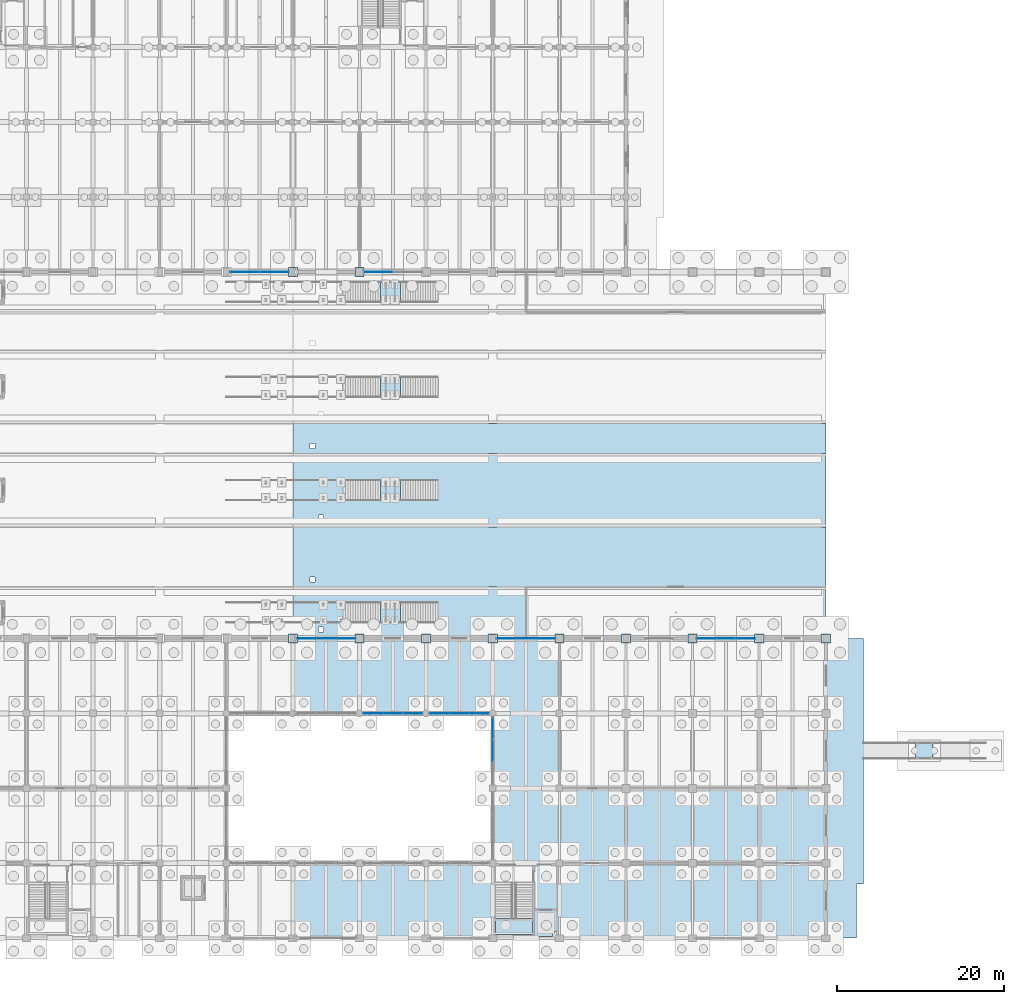
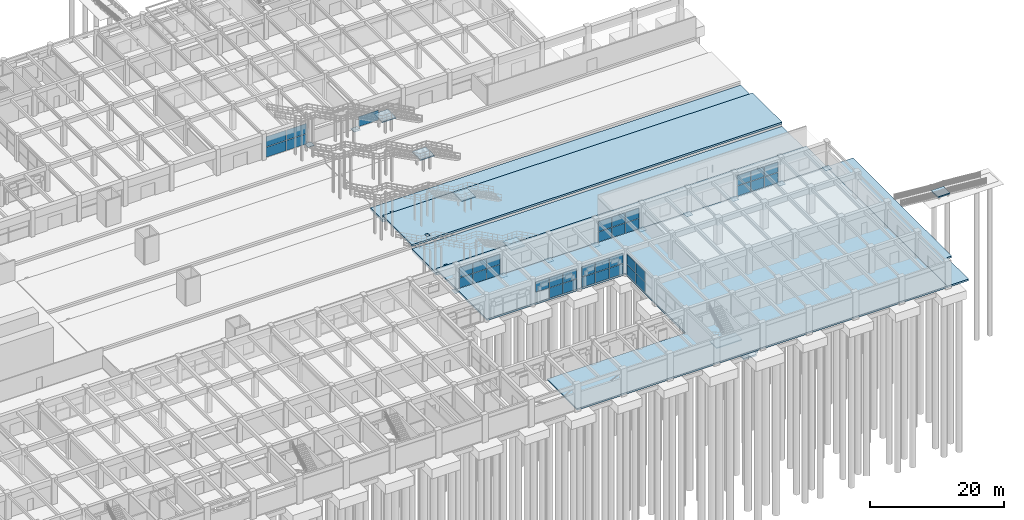
# One storey, part 95 of 147: 49 plates, 13 slabs, 14 elements without a shape of their own.
"""IFC4 building model written with IfcOpenShell, lengths in metres."""

import ifcopenshell
import ifcopenshell.guid

model = None  # the IFC model being written
_history = None  # IfcOwnerHistory: only IFC2X3 demands one
_inside = {}  # id of a spatial element -> (the spatial element, [elements in it])
_under = {}  # id of a project, library or spatial element -> (it, [spatial elements below it])
_declared = {}  # id of a project -> (the project, [libraries it declares])
_typed = {}  # id of a type object -> (the type object, [elements of that type])
_made_of = {}  # id of a material, layer set ... -> (it, [elements and type objects made of it])


def new_model(schema):
    """Start an empty IFC model of exactly this schema.

    Asked for "IFC4X3", IfcOpenShell would pick the latest addendum, in which some entities
    have other attributes; the version numbers below select the first issue.
    IFC2X3 requires an IfcOwnerHistory on every rooted entity: one is made here for all.
    """
    global model, _history
    if schema == "IFC4X3":
        model = ifcopenshell.file(schema_version=(4, 3, 0, 0))
    else:
        model = ifcopenshell.file(schema=schema)
    _inside.clear()
    _under.clear()
    _declared.clear()
    _typed.clear()
    _made_of.clear()
    _history = None
    if model.schema == "IFC2X3":
        org = make("IfcOrganization", Name="unknown")
        user = make(
            "IfcPersonAndOrganization",
            ThePerson=make("IfcPerson", FamilyName="unknown"),
            TheOrganization=org,
        )
        app = make(
            "IfcApplication",
            ApplicationDeveloper=org,
            Version="unknown",
            ApplicationFullName="unknown",
            ApplicationIdentifier="unknown",
        )
        _history = make(
            "IfcOwnerHistory",
            OwningUser=user,
            OwningApplication=app,
            ChangeAction="ADDED",
            CreationDate=0,
        )
    return model


def make(cls, **values):
    """One entity of the class cls with the attributes given. An attribute that is None is left unset."""
    return model.create_entity(
        cls, **{name: value for name, value in values.items() if value is not None}
    )


def rooted(cls, **values):
    """An entity with a GlobalId (a new one), such as an element, a storey or a relation."""
    return make(cls, GlobalId=ifcopenshell.guid.new(), OwnerHistory=_history, **values)


def si_unit(unit_type, name, prefix=None):
    """IfcSIUnit, for example si_unit("LENGTHUNIT", "METRE", prefix="MILLI")."""
    return make("IfcSIUnit", UnitType=unit_type, Prefix=prefix, Name=name)


def assignment(units):
    """IfcUnitAssignment: the units of a project."""
    return None if units is None else make("IfcUnitAssignment", Units=units)


def point(xyz):
    """IfcCartesianPoint."""
    return None if xyz is None else make("IfcCartesianPoint", Coordinates=xyz)


def direction(xyz):
    """IfcDirection."""
    return None if xyz is None else make("IfcDirection", DirectionRatios=xyz)


def frame(location, z_axis=None, x_axis=None):
    """IfcAxis2Placement3D, a coordinate frame: its origin and axes. An axis left out is left unset."""
    return make(
        "IfcAxis2Placement3D",
        Location=point(location),
        Axis=direction(z_axis),
        RefDirection=direction(x_axis),
    )


def frame_2d(location, x_axis=None):
    """IfcAxis2Placement2D, a coordinate frame in the plane: its origin and x axis."""
    return make(
        "IfcAxis2Placement2D", Location=point(location), RefDirection=direction(x_axis)
    )


def origin():
    """The frame at (0, 0, 0) with its axes left unset."""
    return frame((0.0, 0.0, 0.0))


def origin_2d():
    """The frame at (0, 0) in the plane with its x axis left unset."""
    return frame_2d((0.0, 0.0))


def place(relative_to, where):
    """IfcLocalPlacement: puts the frame where relative to a parent placement (None: the world)."""
    return make(
        "IfcLocalPlacement", PlacementRelTo=relative_to, RelativePlacement=where
    )


def context(
    kind, dimensions, precision=None, world=None, true_north=None, identifier=None
):
    """IfcGeometricRepresentationContext, for example the 3D "Model" context."""
    return make(
        "IfcGeometricRepresentationContext",
        ContextIdentifier=identifier,
        ContextType=kind,
        CoordinateSpaceDimension=dimensions,
        Precision=precision,
        WorldCoordinateSystem=world,
        TrueNorth=true_north,
    )


def subcontext(parent, identifier, kind, view, scale=None):
    """IfcGeometricRepresentationSubContext, for example "Body" below "Model"."""
    return make(
        "IfcGeometricRepresentationSubContext",
        ContextIdentifier=identifier,
        ContextType=kind,
        ParentContext=parent,
        TargetScale=scale,
        TargetView=view,
    )


def project(units=None, contexts=None):
    """IfcProject with its units and contexts."""
    return rooted(
        "IfcProject",
        Name="project",
        RepresentationContexts=contexts,
        UnitsInContext=assignment(units),
    )


def spatial(cls, under=None, at=None, **own):
    """A site, building, storey or space (cls), placed at a placement, below another one or the project."""
    s = rooted(cls, ObjectPlacement=at, **own)
    if under is not None:
        _under.setdefault(under.id(), (under, []))[1].append(s)
    return s


def polyline(points):
    """IfcPolyline through the points."""
    return make("IfcPolyline", Points=[point(p) for p in points])


def profile(cls, at=None, kind="AREA", **sizes):
    """A parametric profile (cls). Its sizes go by their IFC names, for example OverallWidth=200.0."""
    return make(cls, ProfileType=kind, Position=at, **sizes)


def rectangle(**sizes):
    """IfcRectangleProfileDef."""
    return profile("IfcRectangleProfileDef", **sizes)


def outline(outer, holes=None, kind="AREA"):
    """IfcArbitraryClosedProfileDef: a profile drawn as a closed curve; with holes, ...WithVoids."""
    if holes is None:
        return make("IfcArbitraryClosedProfileDef", ProfileType=kind, OuterCurve=outer)
    return make(
        "IfcArbitraryProfileDefWithVoids",
        ProfileType=kind,
        OuterCurve=outer,
        InnerCurves=holes,
    )


def extrude(swept, where, along, depth):
    """IfcExtrudedAreaSolid: the profile swept, set in the frame where, extruded along a direction by depth."""
    return make(
        "IfcExtrudedAreaSolid",
        SweptArea=swept,
        Position=where,
        ExtrudedDirection=direction(along),
        Depth=depth,
    )


def shape(context_of_items, identifier, shape_type, items):
    """IfcShapeRepresentation: the items that make up one representation, for example the "Body"."""
    return make(
        "IfcShapeRepresentation",
        ContextOfItems=context_of_items,
        RepresentationIdentifier=identifier,
        RepresentationType=shape_type,
        Items=items,
    )


def material(Name=None, Category=None):
    """IfcMaterial."""
    return make("IfcMaterial", Name=Name, Category=Category)


def layer(
    of_material, thickness, ventilated=None, Name=None, Category=None, Priority=None
):
    """IfcMaterialLayer: one layer of a wall or slab, of a material (None: an air gap)."""
    return make(
        "IfcMaterialLayer",
        Material=of_material,
        LayerThickness=thickness,
        IsVentilated=ventilated,
        Name=Name,
        Category=Category,
        Priority=Priority,
    )


def layer_set(layers, Name=None):
    """IfcMaterialLayerSet."""
    return make("IfcMaterialLayerSet", MaterialLayers=layers, LayerSetName=Name)


def made_of(thing, what):
    """Note that an element or type object is made of a material, layer set ...; save() writes the relation."""
    if what is not None:
        _made_of.setdefault(what.id(), (what, []))[1].append(thing)
    return thing


def type_object(cls, material=None, **own):
    """A type object (cls), such as IfcWallType, which elements share."""
    return made_of(rooted(cls, **own), material)


def element(
    cls,
    number,
    at=None,
    inside=None,
    cuts=None,
    type_object=None,
    material=None,
    context=None,
    identifier="Body",
    shape_type=None,
    held_by="IfcProductDefinitionShape",
    body=None,
    shapes=None,
    **own,
):
    """One element of the class cls, such as IfcWall. Its Tag is "e" and its number.

    at: its placement. inside: the storey or other place that contains it. cuts: it is an
    opening in that element (IfcRelVoidsElement). A single representation is given by context,
    identifier, shape_type and body (its items); several are given by shapes. held_by: the class
    of the entity that holds the representations. save() writes the other relations.
    """
    e = rooted(cls, Tag="e%d" % number, ObjectPlacement=at, **own)
    if body is not None:
        shapes = [shape(context, identifier, shape_type, body)]
    if shapes is not None:
        e.Representation = make(held_by, Representations=shapes)
    if inside is not None:
        _inside.setdefault(inside.id(), (inside, []))[1].append(e)
    if cuts is not None:
        rooted(
            "IfcRelVoidsElement", RelatingBuildingElement=cuts, RelatedOpeningElement=e
        )
    if type_object is not None:
        _typed.setdefault(type_object.id(), (type_object, []))[1].append(e)
    return made_of(e, material)


def aggregate(whole, parts):
    """IfcRelAggregates: a whole, such as a stair, and the parts it consists of."""
    return rooted("IfcRelAggregates", RelatingObject=whole, RelatedObjects=parts)


def save(model, path):
    """Write the relations noted so far, then the file.

    IfcRelAggregates (storeys below a building ...), IfcRelContainedInSpatialStructure (elements
    in a storey), IfcRelDefinesByType, IfcRelAssociatesMaterial and IfcRelDeclares: one each for
    every whole, place, type object, material and project.
    """
    for whole, parts in _under.values():
        aggregate(whole, parts)
    for where, things in _inside.values():
        rooted(
            "IfcRelContainedInSpatialStructure",
            RelatedElements=things,
            RelatingStructure=where,
        )
    for kind, things in _typed.values():
        rooted("IfcRelDefinesByType", RelatedObjects=things, RelatingType=kind)
    for what, things in _made_of.values():
        rooted("IfcRelAssociatesMaterial", RelatedObjects=things, RelatingMaterial=what)
    for by, libraries in _declared.values():
        rooted("IfcRelDeclares", RelatingContext=by, RelatedDefinitions=libraries)
    model.write(path)


model = new_model("IFC4")

# Units and contexts
model_context = context("Model", 3, precision=1e-05, world=origin(), true_north=direction((0.0, 1.0)))
body_context = subcontext(model_context, "Body", "Model", "MODEL_VIEW")
ifc_project = project(units=[si_unit("LENGTHUNIT", "METRE"), si_unit("AREAUNIT", "SQUARE_METRE"), si_unit("VOLUMEUNIT", "CUBIC_METRE"), si_unit("PLANEANGLEUNIT", "RADIAN"), si_unit("MASSUNIT", "GRAM", prefix="KILO")], contexts=[model_context])

# Site, building, storey
site_placement = place(None, origin())
site = spatial("IfcSite", under=ifc_project, at=site_placement, CompositionType="ELEMENT")
building_placement = place(site_placement, origin())
building = spatial("IfcBuilding", under=site, at=building_placement, Name="Varnabhumi Central Station", CompositionType="ELEMENT")
storey_placement = place(building_placement, origin())
storey = spatial("IfcBuildingStorey", under=building, at=storey_placement, Name="L00", CompositionType="ELEMENT", Elevation=0.0)

# Curtain wall, plates
ifc_material_1 = material(Name="Anodised aluminium 6063-T6", Category="aluminium")
curtain_wall_type_1 = type_object("IfcCurtainWallType", Name="CW-SPINE-SCREEN-L0", PredefinedType="NOTDEFINED", material=ifc_material_1)
curtain_wall_1_placement = place(storey_placement, origin())
curtain_wall_1 = element("IfcCurtainWall", 1, at=curtain_wall_1_placement, inside=storey, type_object=curtain_wall_type_1, Name="Curtain Wall CW-SS018", PredefinedType="NOTDEFINED")
ifc_material_2 = material(Name="Laminated low-E double glazing", Category="glass")
ifc_layer_1 = layer(ifc_material_2, 0.035888671875, Name="Laminated low-E double glazing", Category="glass")
ifc_layer_set_1 = layer_set([ifc_layer_1], Name="Laminated low-E double glazing")
plate_type_1 = type_object("IfcPlateType", Name="CW-PNL-GLZ-1", PredefinedType="CURTAIN_PANEL", material=ifc_layer_set_1)
plate_1_placement = place(storey_placement, frame((145.63330078125, 36.0, 0.0400390625), z_axis=(0.0, 0.0, 1.0), x_axis=(1.0, 0.0, 0.0)))
plate_1 = element("IfcPlate", 2, at=plate_1_placement, type_object=plate_type_1, Name="Glazed Panel CW-SS018-P11", PredefinedType="CURTAIN_PANEL", context=body_context, shape_type="SweptSolid", body=[
    extrude(rectangle(XDim=2.28662109375, YDim=0.035888671875, at=origin_2d()), origin(), (0.0, 0.0, 1.0), 1.840087890625),
])
plate_2_placement = place(storey_placement, frame((145.63330078125, 36.0, 1.9599609375), z_axis=(0.0, 0.0, 1.0), x_axis=(1.0, 0.0, 0.0)))
plate_2 = element("IfcPlate", 3, at=plate_2_placement, type_object=plate_type_1, Name="Glazed Panel CW-SS018-P12", PredefinedType="CURTAIN_PANEL", context=body_context, shape_type="SweptSolid", body=[
    extrude(rectangle(XDim=2.28662109375, YDim=0.035888671875, at=origin_2d()), origin(), (0.0, 0.0, 1.0), 1.840087890625),
])
plate_3_placement = place(storey_placement, frame((148.0, 36.0, 0.0400390625), z_axis=(0.0, 0.0, 1.0), x_axis=(1.0, 0.0, 0.0)))
plate_3 = element("IfcPlate", 4, at=plate_3_placement, type_object=plate_type_1, Name="Glazed Panel CW-SS018-P21", PredefinedType="CURTAIN_PANEL", context=body_context, shape_type="SweptSolid", body=[
    extrude(rectangle(XDim=2.28662109375, YDim=0.035888671875, at=origin_2d()), origin(), (0.0, 0.0, 1.0), 1.840087890625),
])
plate_4_placement = place(storey_placement, frame((148.0, 36.0, 1.9599609375), z_axis=(0.0, 0.0, 1.0), x_axis=(1.0, 0.0, 0.0)))
plate_4 = element("IfcPlate", 5, at=plate_4_placement, type_object=plate_type_1, Name="Glazed Panel CW-SS018-P22", PredefinedType="CURTAIN_PANEL", context=body_context, shape_type="SweptSolid", body=[
    extrude(rectangle(XDim=2.28662109375, YDim=0.035888671875, at=origin_2d()), origin(), (0.0, 0.0, 1.0), 1.840087890625),
])
plate_5_placement = place(storey_placement, frame((150.36669921875, 36.0, 0.0400390625), z_axis=(0.0, 0.0, 1.0), x_axis=(1.0, 0.0, 0.0)))
plate_5 = element("IfcPlate", 6, at=plate_5_placement, type_object=plate_type_1, Name="Glazed Panel CW-SS018-P31", PredefinedType="CURTAIN_PANEL", context=body_context, shape_type="SweptSolid", body=[
    extrude(rectangle(XDim=2.28662109375, YDim=0.035888671875, at=origin_2d()), origin(), (0.0, 0.0, 1.0), 1.840087890625),
])
plate_6_placement = place(storey_placement, frame((150.36669921875, 36.0, 1.9599609375), z_axis=(0.0, 0.0, 1.0), x_axis=(1.0, 0.0, 0.0)))
plate_6 = element("IfcPlate", 7, at=plate_6_placement, type_object=plate_type_1, Name="Glazed Panel CW-SS018-P32", PredefinedType="CURTAIN_PANEL", context=body_context, shape_type="SweptSolid", body=[
    extrude(rectangle(XDim=2.28662109375, YDim=0.035888671875, at=origin_2d()), origin(), (0.0, 0.0, 1.0), 1.840087890625),
])
aggregate(curtain_wall_1, [plate_1, plate_2, plate_3, plate_4, plate_5, plate_6])

curtain_wall_type_2 = type_object("IfcCurtainWallType", Name="CW-PATIO-LOGGIA-L0", PredefinedType="NOTDEFINED", material=ifc_material_1)
curtain_wall_2_placement = place(storey_placement, origin())
curtain_wall_2 = element("IfcCurtainWall", 8, at=curtain_wall_2_placement, inside=storey, type_object=curtain_wall_type_2, Name="Curtain Wall CW-SP0W2", PredefinedType="NOTDEFINED")
ifc_layer_2 = layer(ifc_material_2, 0.035888671875, Name="Laminated low-E double glazing", Category="glass")
ifc_layer_set_2 = layer_set([ifc_layer_2], Name="Laminated low-E double glazing")
plate_type_2 = type_object("IfcPlateType", Name="CW-PNL-GLZ-3", PredefinedType="CURTAIN_PANEL", material=ifc_layer_set_2)
plate_7_placement = place(storey_placement, frame((144.0, 22.5, 0.0400390625), z_axis=(0.0, 0.0, 1.0), x_axis=(0.0, 1.0, 0.0)))
plate_7 = element("IfcPlate", 9, at=plate_7_placement, type_object=plate_type_2, Name="Glazed Panel CW-SP0W2-P21", PredefinedType="CURTAIN_PANEL", context=body_context, shape_type="SweptSolid", body=[
    extrude(rectangle(XDim=2.639892578125, YDim=0.035888671875, at=origin_2d()), origin(), (0.0, 0.0, 1.0), 1.840087890625),
])
plate_8_placement = place(storey_placement, frame((144.0, 22.5, 1.9599609375), z_axis=(0.0, 0.0, 1.0), x_axis=(0.0, 1.0, 0.0)))
plate_8 = element("IfcPlate", 10, at=plate_8_placement, type_object=plate_type_2, Name="Glazed Panel CW-SP0W2-P22", PredefinedType="CURTAIN_PANEL", context=body_context, shape_type="SweptSolid", body=[
    extrude(rectangle(XDim=2.639892578125, YDim=0.035888671875, at=origin_2d()), origin(), (0.0, 0.0, 1.0), 1.840087890625),
])
plate_9_placement = place(storey_placement, frame((144.0, 25.219970703125, 0.0400390625), z_axis=(0.0, 0.0, 1.0), x_axis=(0.0, 1.0, 0.0)))
plate_9 = element("IfcPlate", 11, at=plate_9_placement, type_object=plate_type_2, Name="Glazed Panel CW-SP0W2-P31", PredefinedType="CURTAIN_PANEL", context=body_context, shape_type="SweptSolid", body=[
    extrude(rectangle(XDim=2.639892578125, YDim=0.035888671875, at=origin_2d()), origin(), (0.0, 0.0, 1.0), 1.840087890625),
])
plate_10_placement = place(storey_placement, frame((144.0, 25.219970703125, 1.9599609375), z_axis=(0.0, 0.0, 1.0), x_axis=(0.0, 1.0, 0.0)))
plate_10 = element("IfcPlate", 12, at=plate_10_placement, type_object=plate_type_2, Name="Glazed Panel CW-SP0W2-P32", PredefinedType="CURTAIN_PANEL", context=body_context, shape_type="SweptSolid", body=[
    extrude(rectangle(XDim=2.639892578125, YDim=0.035888671875, at=origin_2d()), origin(), (0.0, 0.0, 1.0), 1.840087890625),
])
aggregate(curtain_wall_2, [plate_7, plate_8, plate_9, plate_10])

curtain_wall_3_placement = place(storey_placement, origin())
curtain_wall_3 = element("IfcCurtainWall", 13, at=curtain_wall_3_placement, inside=storey, type_object=curtain_wall_type_1, Name="Curtain Wall CW-SS021", PredefinedType="NOTDEFINED")
ifc_layer_3 = layer(ifc_material_2, 0.035888671875, Name="Laminated low-E double glazing", Category="glass")
ifc_layer_set_3 = layer_set([ifc_layer_3], Name="Laminated low-E double glazing")
plate_type_3 = type_object("IfcPlateType", Name="CW-PNL-GLZ-4", PredefinedType="CURTAIN_PANEL", material=ifc_layer_set_3)
plate_11_placement = place(storey_placement, frame((169.63330078125, 36.0, 0.0400390625), z_axis=(0.0, 0.0, 1.0), x_axis=(1.0, 0.0, 0.0)))
plate_11 = element("IfcPlate", 14, at=plate_11_placement, type_object=plate_type_3, Name="Glazed Panel CW-SS021-P11", PredefinedType="CURTAIN_PANEL", context=body_context, shape_type="SweptSolid", body=[
    extrude(rectangle(XDim=2.28662109375, YDim=0.035888671875, at=origin_2d()), origin(), (0.0, 0.0, 1.0), 1.840087890625),
])
plate_12_placement = place(storey_placement, frame((169.63330078125, 36.0, 1.9599609375), z_axis=(0.0, 0.0, 1.0), x_axis=(1.0, 0.0, 0.0)))
plate_12 = element("IfcPlate", 15, at=plate_12_placement, type_object=plate_type_3, Name="Glazed Panel CW-SS021-P12", PredefinedType="CURTAIN_PANEL", context=body_context, shape_type="SweptSolid", body=[
    extrude(rectangle(XDim=2.28662109375, YDim=0.035888671875, at=origin_2d()), origin(), (0.0, 0.0, 1.0), 1.840087890625),
])
plate_13_placement = place(storey_placement, frame((172.0, 36.0, 0.0400390625), z_axis=(0.0, 0.0, 1.0), x_axis=(1.0, 0.0, 0.0)))
plate_13 = element("IfcPlate", 16, at=plate_13_placement, type_object=plate_type_3, Name="Glazed Panel CW-SS021-P21", PredefinedType="CURTAIN_PANEL", context=body_context, shape_type="SweptSolid", body=[
    extrude(rectangle(XDim=2.28662109375, YDim=0.035888671875, at=origin_2d()), origin(), (0.0, 0.0, 1.0), 1.840087890625),
])
plate_14_placement = place(storey_placement, frame((172.0, 36.0, 1.9599609375), z_axis=(0.0, 0.0, 1.0), x_axis=(1.0, 0.0, 0.0)))
plate_14 = element("IfcPlate", 17, at=plate_14_placement, type_object=plate_type_3, Name="Glazed Panel CW-SS021-P22", PredefinedType="CURTAIN_PANEL", context=body_context, shape_type="SweptSolid", body=[
    extrude(rectangle(XDim=2.28662109375, YDim=0.035888671875, at=origin_2d()), origin(), (0.0, 0.0, 1.0), 1.840087890625),
])
plate_15_placement = place(storey_placement, frame((174.36669921875, 36.0, 0.0400390625), z_axis=(0.0, 0.0, 1.0), x_axis=(1.0, 0.0, 0.0)))
plate_15 = element("IfcPlate", 18, at=plate_15_placement, type_object=plate_type_3, Name="Glazed Panel CW-SS021-P31", PredefinedType="CURTAIN_PANEL", context=body_context, shape_type="SweptSolid", body=[
    extrude(rectangle(XDim=2.28662109375, YDim=0.035888671875, at=origin_2d()), origin(), (0.0, 0.0, 1.0), 1.840087890625),
])
plate_16_placement = place(storey_placement, frame((174.36669921875, 36.0, 1.9599609375), z_axis=(0.0, 0.0, 1.0), x_axis=(1.0, 0.0, 0.0)))
plate_16 = element("IfcPlate", 19, at=plate_16_placement, type_object=plate_type_3, Name="Glazed Panel CW-SS021-P32", PredefinedType="CURTAIN_PANEL", context=body_context, shape_type="SweptSolid", body=[
    extrude(rectangle(XDim=2.28662109375, YDim=0.035888671875, at=origin_2d()), origin(), (0.0, 0.0, 1.0), 1.840087890625),
])
aggregate(curtain_wall_3, [plate_11, plate_12, plate_13, plate_14, plate_15, plate_16])

curtain_wall_4_placement = place(storey_placement, origin())
curtain_wall_4 = element("IfcCurtainWall", 20, at=curtain_wall_4_placement, inside=storey, type_object=curtain_wall_type_1, Name="Curtain Wall CW-NS014", PredefinedType="NOTDEFINED")
ifc_layer_4 = layer(ifc_material_2, 0.035888671875, Name="Laminated low-E double glazing", Category="glass")
ifc_layer_set_4 = layer_set([ifc_layer_4], Name="Laminated low-E double glazing")
plate_type_4 = type_object("IfcPlateType", Name="CW-PNL-GLZ-5", PredefinedType="CURTAIN_PANEL", material=ifc_layer_set_4)
plate_17_placement = place(storey_placement, frame((114.22509765625, 80.0, 0.0400390625), z_axis=(0.0, 0.0, 1.0), x_axis=(1.0, 0.0, 0.0)))
plate_17 = element("IfcPlate", 21, at=plate_17_placement, type_object=plate_type_4, Name="Glazed Panel CW-NS014-P11", PredefinedType="CURTAIN_PANEL", context=body_context, shape_type="SweptSolid", body=[
    extrude(rectangle(XDim=3.469970703125, YDim=0.035888671875, at=origin_2d()), origin(), (0.0, 0.0, 1.0), 1.840087890625),
])
plate_18_placement = place(storey_placement, frame((114.22509765625, 80.0, 1.9599609375), z_axis=(0.0, 0.0, 1.0), x_axis=(1.0, 0.0, 0.0)))
plate_18 = element("IfcPlate", 22, at=plate_18_placement, type_object=plate_type_4, Name="Glazed Panel CW-NS014-P12", PredefinedType="CURTAIN_PANEL", context=body_context, shape_type="SweptSolid", body=[
    extrude(rectangle(XDim=3.469970703125, YDim=0.035888671875, at=origin_2d()), origin(), (0.0, 0.0, 1.0), 1.840087890625),
])
plate_19_placement = place(storey_placement, frame((117.77490234375, 80.0, 0.0400390625), z_axis=(0.0, 0.0, 1.0), x_axis=(1.0, 0.0, 0.0)))
plate_19 = element("IfcPlate", 23, at=plate_19_placement, type_object=plate_type_4, Name="Glazed Panel CW-NS014-P21", PredefinedType="CURTAIN_PANEL", context=body_context, shape_type="SweptSolid", body=[
    extrude(rectangle(XDim=3.469970703125, YDim=0.035888671875, at=origin_2d()), origin(), (0.0, 0.0, 1.0), 1.840087890625),
])
plate_20_placement = place(storey_placement, frame((117.77490234375, 80.0, 1.9599609375), z_axis=(0.0, 0.0, 1.0), x_axis=(1.0, 0.0, 0.0)))
plate_20 = element("IfcPlate", 24, at=plate_20_placement, type_object=plate_type_4, Name="Glazed Panel CW-NS014-P22", PredefinedType="CURTAIN_PANEL", context=body_context, shape_type="SweptSolid", body=[
    extrude(rectangle(XDim=3.469970703125, YDim=0.035888671875, at=origin_2d()), origin(), (0.0, 0.0, 1.0), 1.840087890625),
])
aggregate(curtain_wall_4, [plate_17, plate_18, plate_19, plate_20])

# Curtain wall, plate
curtain_wall_5_placement = place(storey_placement, origin())
curtain_wall_5 = element("IfcCurtainWall", 25, at=curtain_wall_5_placement, inside=storey, type_object=curtain_wall_type_1, Name="Curtain Wall CW-NS016", PredefinedType="NOTDEFINED")
plate_21_placement = place(storey_placement, frame((130.22509765625, 80.0, 0.0400390625), z_axis=(0.0, 0.0, 1.0), x_axis=(1.0, 0.0, 0.0)))
plate_21 = element("IfcPlate", 26, at=plate_21_placement, type_object=plate_type_4, Name="Glazed Panel CW-NS016-P11", PredefinedType="CURTAIN_PANEL", context=body_context, shape_type="SweptSolid", body=[
    extrude(rectangle(XDim=3.469970703125, YDim=0.035888671875, at=origin_2d()), origin(), (0.0, 0.0, 1.0), 1.840087890625),
])
aggregate(curtain_wall_5, [plate_21])

# Curtain wall, plates
curtain_wall_6_placement = place(storey_placement, origin())
curtain_wall_6 = element("IfcCurtainWall", 27, at=curtain_wall_6_placement, inside=storey, type_object=curtain_wall_type_2, Name="Curtain Wall CW-SP0N3", PredefinedType="NOTDEFINED")
ifc_layer_5 = layer(ifc_material_2, 0.035888671875, Name="Laminated low-E double glazing", Category="glass")
ifc_layer_set_5 = layer_set([ifc_layer_5], Name="Laminated low-E double glazing")
plate_type_5 = type_object("IfcPlateType", Name="CW-PNL-GLZ-6", PredefinedType="CURTAIN_PANEL", material=ifc_layer_set_5)
plate_22_placement = place(storey_placement, frame((129.61328125, 27.0, 1.9599609375), z_axis=(0.0, 0.0, 1.0), x_axis=(1.0, 0.0, 0.0)))
plate_22 = element("IfcPlate", 28, at=plate_22_placement, type_object=plate_type_5, Name="Glazed Panel CW-SP0N3-P12", PredefinedType="CURTAIN_PANEL", context=body_context, shape_type="SweptSolid", body=[
    extrude(rectangle(XDim=2.306640625, YDim=0.035888671875, at=origin_2d()), origin(), (0.0, 0.0, 1.0), 1.840087890625),
])
plate_23_placement = place(storey_placement, frame((132.0, 27.0, 0.0400390625), z_axis=(0.0, 0.0, 1.0), x_axis=(1.0, 0.0, 0.0)))
plate_23 = element("IfcPlate", 29, at=plate_23_placement, type_object=plate_type_5, Name="Glazed Panel CW-SP0N3-P21", PredefinedType="CURTAIN_PANEL", context=body_context, shape_type="SweptSolid", body=[
    extrude(rectangle(XDim=2.306640625, YDim=0.035888671875, at=origin_2d()), origin(), (0.0, 0.0, 1.0), 1.840087890625),
])
plate_24_placement = place(storey_placement, frame((132.0, 27.0, 1.9599609375), z_axis=(0.0, 0.0, 1.0), x_axis=(1.0, 0.0, 0.0)))
plate_24 = element("IfcPlate", 30, at=plate_24_placement, type_object=plate_type_5, Name="Glazed Panel CW-SP0N3-P22", PredefinedType="CURTAIN_PANEL", context=body_context, shape_type="SweptSolid", body=[
    extrude(rectangle(XDim=2.306640625, YDim=0.035888671875, at=origin_2d()), origin(), (0.0, 0.0, 1.0), 1.840087890625),
])
plate_25_placement = place(storey_placement, frame((134.38671875, 27.0, 0.0400390625), z_axis=(0.0, 0.0, 1.0), x_axis=(1.0, 0.0, 0.0)))
plate_25 = element("IfcPlate", 31, at=plate_25_placement, type_object=plate_type_5, Name="Glazed Panel CW-SP0N3-P31", PredefinedType="CURTAIN_PANEL", context=body_context, shape_type="SweptSolid", body=[
    extrude(rectangle(XDim=2.306640625, YDim=0.035888671875, at=origin_2d()), origin(), (0.0, 0.0, 1.0), 1.840087890625),
])
plate_26_placement = place(storey_placement, frame((134.38671875, 27.0, 1.9599609375), z_axis=(0.0, 0.0, 1.0), x_axis=(1.0, 0.0, 0.0)))
plate_26 = element("IfcPlate", 32, at=plate_26_placement, type_object=plate_type_5, Name="Glazed Panel CW-SP0N3-P32", PredefinedType="CURTAIN_PANEL", context=body_context, shape_type="SweptSolid", body=[
    extrude(rectangle(XDim=2.306640625, YDim=0.035888671875, at=origin_2d()), origin(), (0.0, 0.0, 1.0), 1.840087890625),
])
aggregate(curtain_wall_6, [plate_22, plate_23, plate_24, plate_25, plate_26])

curtain_wall_7_placement = place(storey_placement, origin())
curtain_wall_7 = element("IfcCurtainWall", 33, at=curtain_wall_7_placement, inside=storey, type_object=curtain_wall_type_1, Name="Curtain Wall CW-SS015", PredefinedType="NOTDEFINED")
ifc_layer_6 = layer(ifc_material_2, 0.035888671875, Name="Laminated low-E double glazing", Category="glass")
ifc_layer_set_6 = layer_set([ifc_layer_6], Name="Laminated low-E double glazing")
plate_type_6 = type_object("IfcPlateType", Name="CW-PNL-GLZ-7", PredefinedType="CURTAIN_PANEL", material=ifc_layer_set_6)
plate_27_placement = place(storey_placement, frame((121.63330078125, 36.0, 0.0400390625), z_axis=(0.0, 0.0, 1.0), x_axis=(1.0, 0.0, 0.0)))
plate_27 = element("IfcPlate", 34, at=plate_27_placement, type_object=plate_type_6, Name="Glazed Panel CW-SS015-P11", PredefinedType="CURTAIN_PANEL", context=body_context, shape_type="SweptSolid", body=[
    extrude(rectangle(XDim=2.28662109375, YDim=0.035888671875, at=origin_2d()), origin(), (0.0, 0.0, 1.0), 1.840087890625),
])
plate_28_placement = place(storey_placement, frame((121.63330078125, 36.0, 1.9599609375), z_axis=(0.0, 0.0, 1.0), x_axis=(1.0, 0.0, 0.0)))
plate_28 = element("IfcPlate", 35, at=plate_28_placement, type_object=plate_type_6, Name="Glazed Panel CW-SS015-P12", PredefinedType="CURTAIN_PANEL", context=body_context, shape_type="SweptSolid", body=[
    extrude(rectangle(XDim=2.28662109375, YDim=0.035888671875, at=origin_2d()), origin(), (0.0, 0.0, 1.0), 1.840087890625),
])
plate_29_placement = place(storey_placement, frame((124.0, 36.0, 0.0400390625), z_axis=(0.0, 0.0, 1.0), x_axis=(1.0, 0.0, 0.0)))
plate_29 = element("IfcPlate", 36, at=plate_29_placement, type_object=plate_type_6, Name="Glazed Panel CW-SS015-P21", PredefinedType="CURTAIN_PANEL", context=body_context, shape_type="SweptSolid", body=[
    extrude(rectangle(XDim=2.28662109375, YDim=0.035888671875, at=origin_2d()), origin(), (0.0, 0.0, 1.0), 1.840087890625),
])
plate_30_placement = place(storey_placement, frame((124.0, 36.0, 1.9599609375), z_axis=(0.0, 0.0, 1.0), x_axis=(1.0, 0.0, 0.0)))
plate_30 = element("IfcPlate", 37, at=plate_30_placement, type_object=plate_type_6, Name="Glazed Panel CW-SS015-P22", PredefinedType="CURTAIN_PANEL", context=body_context, shape_type="SweptSolid", body=[
    extrude(rectangle(XDim=2.28662109375, YDim=0.035888671875, at=origin_2d()), origin(), (0.0, 0.0, 1.0), 1.840087890625),
])
plate_31_placement = place(storey_placement, frame((126.36669921875, 36.0, 0.0400390625), z_axis=(0.0, 0.0, 1.0), x_axis=(1.0, 0.0, 0.0)))
plate_31 = element("IfcPlate", 38, at=plate_31_placement, type_object=plate_type_6, Name="Glazed Panel CW-SS015-P31", PredefinedType="CURTAIN_PANEL", context=body_context, shape_type="SweptSolid", body=[
    extrude(rectangle(XDim=2.28662109375, YDim=0.035888671875, at=origin_2d()), origin(), (0.0, 0.0, 1.0), 1.840087890625),
])
plate_32_placement = place(storey_placement, frame((126.36669921875, 36.0, 1.9599609375), z_axis=(0.0, 0.0, 1.0), x_axis=(1.0, 0.0, 0.0)))
plate_32 = element("IfcPlate", 39, at=plate_32_placement, type_object=plate_type_6, Name="Glazed Panel CW-SS015-P32", PredefinedType="CURTAIN_PANEL", context=body_context, shape_type="SweptSolid", body=[
    extrude(rectangle(XDim=2.28662109375, YDim=0.035888671875, at=origin_2d()), origin(), (0.0, 0.0, 1.0), 1.840087890625),
])
aggregate(curtain_wall_7, [plate_27, plate_28, plate_29, plate_30, plate_31, plate_32])

curtain_wall_8_placement = place(storey_placement, origin())
curtain_wall_8 = element("IfcCurtainWall", 40, at=curtain_wall_8_placement, inside=storey, type_object=curtain_wall_type_2, Name="Curtain Wall CW-SP0N4", PredefinedType="NOTDEFINED")
plate_33_placement = place(storey_placement, frame((137.61328125, 27.0, 0.0400390625), z_axis=(0.0, 0.0, 1.0), x_axis=(1.0, 0.0, 0.0)))
plate_33 = element("IfcPlate", 41, at=plate_33_placement, type_object=plate_type_6, Name="Glazed Panel CW-SP0N4-P11", PredefinedType="CURTAIN_PANEL", context=body_context, shape_type="SweptSolid", body=[
    extrude(rectangle(XDim=2.306640625, YDim=0.035888671875, at=origin_2d()), origin(), (0.0, 0.0, 1.0), 1.840087890625),
])
plate_34_placement = place(storey_placement, frame((137.61328125, 27.0, 1.9599609375), z_axis=(0.0, 0.0, 1.0), x_axis=(1.0, 0.0, 0.0)))
plate_34 = element("IfcPlate", 42, at=plate_34_placement, type_object=plate_type_6, Name="Glazed Panel CW-SP0N4-P12", PredefinedType="CURTAIN_PANEL", context=body_context, shape_type="SweptSolid", body=[
    extrude(rectangle(XDim=2.306640625, YDim=0.035888671875, at=origin_2d()), origin(), (0.0, 0.0, 1.0), 1.840087890625),
])
plate_35_placement = place(storey_placement, frame((140.0, 27.0, 0.0400390625), z_axis=(0.0, 0.0, 1.0), x_axis=(1.0, 0.0, 0.0)))
plate_35 = element("IfcPlate", 43, at=plate_35_placement, type_object=plate_type_6, Name="Glazed Panel CW-SP0N4-P21", PredefinedType="CURTAIN_PANEL", context=body_context, shape_type="SweptSolid", body=[
    extrude(rectangle(XDim=2.306640625, YDim=0.035888671875, at=origin_2d()), origin(), (0.0, 0.0, 1.0), 1.840087890625),
])
plate_36_placement = place(storey_placement, frame((140.0, 27.0, 1.9599609375), z_axis=(0.0, 0.0, 1.0), x_axis=(1.0, 0.0, 0.0)))
plate_36 = element("IfcPlate", 44, at=plate_36_placement, type_object=plate_type_6, Name="Glazed Panel CW-SP0N4-P22", PredefinedType="CURTAIN_PANEL", context=body_context, shape_type="SweptSolid", body=[
    extrude(rectangle(XDim=2.306640625, YDim=0.035888671875, at=origin_2d()), origin(), (0.0, 0.0, 1.0), 1.840087890625),
])
plate_37_placement = place(storey_placement, frame((142.38671875, 27.0, 0.0400390625), z_axis=(0.0, 0.0, 1.0), x_axis=(1.0, 0.0, 0.0)))
plate_37 = element("IfcPlate", 45, at=plate_37_placement, type_object=plate_type_6, Name="Glazed Panel CW-SP0N4-P31", PredefinedType="CURTAIN_PANEL", context=body_context, shape_type="SweptSolid", body=[
    extrude(rectangle(XDim=2.306640625, YDim=0.035888671875, at=origin_2d()), origin(), (0.0, 0.0, 1.0), 1.840087890625),
])
plate_38_placement = place(storey_placement, frame((142.38671875, 27.0, 1.9599609375), z_axis=(0.0, 0.0, 1.0), x_axis=(1.0, 0.0, 0.0)))
plate_38 = element("IfcPlate", 46, at=plate_38_placement, type_object=plate_type_6, Name="Glazed Panel CW-SP0N4-P32", PredefinedType="CURTAIN_PANEL", context=body_context, shape_type="SweptSolid", body=[
    extrude(rectangle(XDim=2.306640625, YDim=0.035888671875, at=origin_2d()), origin(), (0.0, 0.0, 1.0), 1.840087890625),
])
aggregate(curtain_wall_8, [plate_33, plate_34, plate_35, plate_36, plate_37, plate_38])

# Plates
ifc_material_3 = material(Name="Structural steel E350", Category="steel")
ifc_layer_7 = layer(ifc_material_3, 0.050048828125, Name="Structural steel E350", Category="steel")
ifc_layer_set_7 = layer_set([ifc_layer_7], Name="Structural steel E350")
plate_type_7 = type_object("IfcPlateType", Name="PLT-BASE-1100", PredefinedType="USERDEFINED", material=ifc_layer_set_7)
for number, where, z_axis, x_axis, name in (
    (47, (120.0, 36.0, -0.2998046875), (0.0, 0.0, 1.0), (1.0, 0.0, 0.0), "Spine Anchor Base Plate 16-E"),
    (48, (120.0, 80.0, -0.2998046875), (0.0, 0.0, 1.0), (1.0, 0.0, 0.0), "Spine Anchor Base Plate 16-K"),
    (49, (128.0, 36.0, -0.2998046875), (0.0, 0.0, 1.0), (1.0, 0.0, 0.0), "Spine Anchor Base Plate 17-E"),
    (50, (128.0, 80.0, -0.2998046875), (0.0, 0.0, 1.0), (1.0, 0.0, 0.0), "Spine Anchor Base Plate 17-K"),
    (51, (136.0, 36.0, -0.2998046875), (0.0, 0.0, 1.0), (1.0, 0.0, 0.0), "Spine Anchor Base Plate 18-E"),
    (52, (144.0, 36.0, -0.2998046875), (0.0, 0.0, 1.0), (1.0, 0.0, 0.0), "Spine Anchor Base Plate 19-E"),
    (53, (152.0, 36.0, -0.2998046875), (0.0, 0.0, 1.0), (1.0, 0.0, 0.0), "Spine Anchor Base Plate 20-E"),
    (54, (160.0, 36.0, -0.2998046875), (0.0, 0.0, 1.0), (1.0, 0.0, 0.0), "Spine Anchor Base Plate 21-E"),
    (55, (168.0, 36.0, -0.2998046875), (0.0, 0.0, 1.0), (1.0, 0.0, 0.0), "Spine Anchor Base Plate 22-E"),
    (56, (176.0, 36.0, -0.2998046875), (0.0, 0.0, 1.0), (1.0, 0.0, 0.0), "Spine Anchor Base Plate 23-E"),
    (57, (184.0, 36.0, -0.2998046875), (0.0, 0.0, 1.0), (1.0, 0.0, 0.0), "Spine Anchor Base Plate 24-E"),
):
    element("IfcPlate", number, at=place(storey_placement, frame(where, z_axis=z_axis, x_axis=x_axis)), inside=storey, type_object=plate_type_7, Name=name, ObjectType="BASE PLATE", PredefinedType="USERDEFINED", context=body_context, shape_type="SweptSolid", body=[
        extrude(rectangle(XDim=1.10009765625, YDim=1.10009765625, at=origin_2d()), origin(), (0.0, 0.0, 1.0), 0.050048828125),
    ])

# Slabs
ifc_material_4 = material(Name="Precast concrete M45", Category="concrete")
ifc_layer_8 = layer(ifc_material_4, 0.35009765625, Name="Precast concrete M45", Category="concrete")
ifc_layer_set_8 = layer_set([ifc_layer_8], Name="Precast concrete M45")
slab_type_1 = type_object("IfcSlabType", Name="SLB-PLATFORM-350", PredefinedType="FLOOR", material=ifc_layer_set_8)
slab_1_placement = place(storey_placement, frame((0.0, 0.0, -0.35009765625)))
element("IfcSlab", 58, at=slab_1_placement, inside=storey, type_object=slab_type_1, Name="Platform 1 Deck Slab Seg 2", PredefinedType="FLOOR", context=body_context, shape_type="SweptSolid", body=[
    extrude(outline(polyline([(120.06005859375, 36.0), (184.0, 36.0), (184.0, 42.199951171875), (120.06005859375, 42.199951171875), (120.06005859375, 36.0)]), holes=[polyline([(123.06005859375, 36.800048828125), (123.659912109375, 36.800048828125), (123.659912109375, 37.39990234375), (123.06005859375, 37.39990234375), (123.06005859375, 36.800048828125)])]), origin(), (0.0, 0.0, 1.0), 0.35009765625),
])
slab_2_placement = place(storey_placement, frame((0.0, 0.0, -0.35009765625)))
element("IfcSlab", 59, at=slab_2_placement, inside=storey, type_object=slab_type_1, Name="Platform 2 Deck Slab Seg 2", PredefinedType="FLOOR", context=body_context, shape_type="SweptSolid", body=[
    extrude(outline(polyline([(120.06005859375, 49.39990234375), (184.0, 49.39990234375), (184.0, 58.199951171875), (120.06005859375, 58.199951171875), (120.06005859375, 49.39990234375)]), holes=[polyline([(123.06005859375, 50.199951171875), (123.659912109375, 50.199951171875), (123.659912109375, 50.800048828125), (123.06005859375, 50.800048828125), (123.06005859375, 50.199951171875)])]), origin(), (0.0, 0.0, 1.0), 0.35009765625),
])
ifc_material_5 = material(Name="Concrete M35", Category="concrete")
ifc_layer_9 = layer(ifc_material_5, 0.300048828125, Name="Concrete M35", Category="concrete")
ifc_layer_set_9 = layer_set([ifc_layer_9], Name="Concrete M35")
slab_type_2 = type_object("IfcSlabType", Name="SLB-PLINTH-300", PredefinedType="BASESLAB", material=ifc_layer_set_9)
slab_3_placement = place(storey_placement, frame((0.0, 0.0, -0.300048828125)))
element("IfcSlab", 60, at=slab_3_placement, inside=storey, type_object=slab_type_2, Name="South Wing L00 Floor Slab Zone 3", PredefinedType="BASESLAB", context=body_context, shape_type="SweptSolid", body=[
    extrude(outline(polyline([(120.06005859375, 0.0), (184.0, 0.0), (184.0, 36.0), (120.06005859375, 36.0), (120.06005859375, 27.0), (144.0, 27.0), (144.0, 9.0), (120.06005859375, 9.0), (120.06005859375, 0.0)])), origin(), (0.0, 0.0, 1.0), 0.300048828125),
])
slab_4_placement = place(storey_placement, frame((0.0, 0.0, -0.300048828125)))
element("IfcSlab", 61, at=slab_4_placement, inside=storey, type_object=slab_type_2, Name="Exterior Plinth Walkway sw_apron", PredefinedType="BASESLAB", context=body_context, shape_type="SweptSolid", body=[
    extrude(outline(polyline([(184.0, 0.0), (187.68994140625, 0.0), (187.68994140625, 6.47998046875), (188.5, 6.47998046875), (188.5, 36.0), (184.0, 36.0), (184.0, 0.0)])), origin(), (0.0, 0.0, 1.0), 0.300048828125),
])
slab_5_placement = place(storey_placement, frame((0.0, 0.0, -1.35009765625)))
element("IfcSlab", 62, at=slab_5_placement, inside=storey, type_object=slab_type_2, Name="Lift Pit Base GL-1", PredefinedType="BASESLAB", context=body_context, shape_type="SweptSolid", body=[
    extrude(outline(polyline([(148.949951171875, 0.199951171875), (151.199951171875, 0.199951171875), (151.199951171875, 0.800048828125), (151.800048828125, 0.800048828125), (151.800048828125, 3.39990234375), (148.949951171875, 3.39990234375), (148.949951171875, 0.199951171875)])), origin(), (0.0, 0.0, 1.0), 0.300048828125),
])

# Ramp, slab
ifc_material_6 = material(Name="Concrete M40", Category="concrete")
ramp_type = type_object("IfcRampType", Name="RAMP-PLINTH-1800", PredefinedType="TWO_STRAIGHT_RUN_RAMP", material=ifc_material_6)
ramp_placement = place(storey_placement, origin())
ramp = element("IfcRamp", 63, at=ramp_placement, inside=storey, type_object=ramp_type, Name="Accessible Plinth Ramp RMP-WS-1", PredefinedType="TWO_STRAIGHT_RUN_RAMP")
ifc_layer_10 = layer(ifc_material_6, 0.219970703125, Name="Concrete M40", Category="concrete")
ifc_layer_set_10 = layer_set([ifc_layer_10], Name="Concrete M40")
slab_type_3 = type_object("IfcSlabType", Name="SLB-RAMP-LANDING", PredefinedType="LANDING", material=ifc_layer_set_10)
slab_6_placement = place(storey_placement, frame((0.0, 0.0, -0.7451171875)))
slab_6 = element("IfcSlab", 64, at=slab_6_placement, type_object=slab_type_3, Name="RMP-WS-1 Intermediate Landing", PredefinedType="LANDING", context=body_context, shape_type="SweptSolid", body=[
    extrude(outline(polyline([(196.89990234375, 23.5), (194.800048828125, 23.5), (194.800048828125, 21.5), (196.89990234375, 21.5), (196.89990234375, 23.5)])), origin(), (0.0, 0.0, 1.0), 0.22021484375),
])
aggregate(ramp, [slab_6])

# Stair, slab
stair_type_1 = type_object("IfcStairType", Name="STR-CORE-4800", PredefinedType="DOUBLE_RETURN_STAIR", material=ifc_material_6)
stair_1_placement = place(storey_placement, origin())
stair_1 = element("IfcStair", 65, at=stair_1_placement, inside=storey, type_object=stair_type_1, Name="Core Stair ST-S3 (L00)", PredefinedType="DOUBLE_RETURN_STAIR")
ifc_layer_11 = layer(ifc_material_6, 0.179931640625, Name="Concrete M40", Category="concrete")
ifc_layer_set_11 = layer_set([ifc_layer_11], Name="Concrete M40")
slab_type_4 = type_object("IfcSlabType", Name="SLB-STAIR-LAND", PredefinedType="LANDING", material=ifc_layer_set_11)
slab_7_placement = place(storey_placement, frame((0.0, 0.0, 2.219970703125)))
slab_7 = element("IfcSlab", 66, at=slab_7_placement, type_object=slab_type_4, Name="ST-S3 L00 Half Landing", PredefinedType="LANDING", context=body_context, shape_type="SweptSolid", body=[
    extrude(outline(polyline([(144.340087890625, 0.360107421875), (148.760009765625, 0.360107421875), (148.760009765625, 2.385009765625), (144.340087890625, 2.385009765625), (144.340087890625, 0.360107421875)])), origin(), (0.0, 0.0, 1.0), 0.179931640625),
])
aggregate(stair_1, [slab_7])

stair_type_2 = type_object("IfcStairType", Name="STR-PLAT-4800", PredefinedType="TWO_STRAIGHT_RUN_STAIR", material=ifc_material_6)
stair_2_placement = place(storey_placement, origin())
stair_2 = element("IfcStair", 67, at=stair_2_placement, inside=storey, type_object=stair_type_2, Name="Platform 1 Lower Stair (L00-L01)", PredefinedType="TWO_STRAIGHT_RUN_STAIR")
slab_8_placement = place(storey_placement, frame((0.0, 0.0, 2.219970703125)))
slab_8 = element("IfcSlab", 68, at=slab_8_placement, type_object=slab_type_4, Name="Platform 1 Stair Landing p1_l0mid", PredefinedType="LANDING", context=body_context, shape_type="SweptSolid", body=[
    extrude(outline(polyline([(130.5, 37.85009765625), (132.89990234375, 37.85009765625), (132.89990234375, 40.35009765625), (130.5, 40.35009765625), (130.5, 37.85009765625)])), origin(), (0.0, 0.0, 1.0), 0.179931640625),
])
aggregate(stair_2, [slab_8])

stair_3_placement = place(storey_placement, origin())
stair_3 = element("IfcStair", 69, at=stair_3_placement, inside=storey, type_object=stair_type_2, Name="Platform 2 Lower Stair (L00-L01)", PredefinedType="TWO_STRAIGHT_RUN_STAIR")
slab_9_placement = place(storey_placement, frame((0.0, 0.0, 2.219970703125)))
slab_9 = element("IfcSlab", 70, at=slab_9_placement, type_object=slab_type_4, Name="Platform 2 Stair Landing p2_l0mid", PredefinedType="LANDING", context=body_context, shape_type="SweptSolid", body=[
    extrude(outline(polyline([(130.5, 52.550048828125), (132.89990234375, 52.550048828125), (132.89990234375, 55.050048828125), (130.5, 55.050048828125), (130.5, 52.550048828125)])), origin(), (0.0, 0.0, 1.0), 0.179931640625),
])
aggregate(stair_3, [slab_9])

stair_4_placement = place(storey_placement, origin())
stair_4 = element("IfcStair", 71, at=stair_4_placement, inside=storey, type_object=stair_type_2, Name="Platform 3 Lower Stair (L00-L01)", PredefinedType="TWO_STRAIGHT_RUN_STAIR")
slab_10_placement = place(storey_placement, frame((0.0, 0.0, 2.219970703125)))
slab_10 = element("IfcSlab", 72, at=slab_10_placement, type_object=slab_type_4, Name="Platform 3 Stair Landing p3_l0mid", PredefinedType="LANDING", context=body_context, shape_type="SweptSolid", body=[
    extrude(outline(polyline([(130.5, 64.949951171875), (132.89990234375, 64.949951171875), (132.89990234375, 67.449951171875), (130.5, 67.449951171875), (130.5, 64.949951171875)])), origin(), (0.0, 0.0, 1.0), 0.179931640625),
])
aggregate(stair_4, [slab_10])

stair_5_placement = place(storey_placement, origin())
stair_5 = element("IfcStair", 73, at=stair_5_placement, inside=storey, type_object=stair_type_2, Name="Platform 4 Lower Stair (L00-L01)", PredefinedType="TWO_STRAIGHT_RUN_STAIR")
slab_11_placement = place(storey_placement, frame((0.0, 0.0, 2.219970703125)))
slab_11 = element("IfcSlab", 74, at=slab_11_placement, type_object=slab_type_4, Name="Platform 4 Stair Landing p4_l0mid", PredefinedType="LANDING", context=body_context, shape_type="SweptSolid", body=[
    extrude(outline(polyline([(130.5, 76.35009765625), (132.89990234375, 76.35009765625), (132.89990234375, 78.85009765625), (130.5, 78.85009765625), (130.5, 76.35009765625)])), origin(), (0.0, 0.0, 1.0), 0.179931640625),
])
aggregate(stair_5, [slab_11])

# Slabs
ifc_layer_12 = layer(ifc_material_5, 0.5, Name="Concrete M35", Category="concrete")
ifc_layer_set_12 = layer_set([ifc_layer_12], Name="Concrete M35")
slab_type_5 = type_object("IfcSlabType", Name="SLB-TRACK-500", PredefinedType="BASESLAB", material=ifc_layer_set_12)
slab_12_placement = place(storey_placement, frame((0.0, 0.0, -1.2548828125)))
element("IfcSlab", 75, at=slab_12_placement, inside=storey, type_object=slab_type_5, Name="Broad-Gauge Track-Bed Slab TRK-12-2", PredefinedType="BASESLAB", context=body_context, shape_type="SweptSolid", body=[
    extrude(outline(polyline([(120.06005859375, 42.199951171875), (184.0, 42.199951171875), (184.0, 49.39990234375), (120.06005859375, 49.39990234375), (120.06005859375, 42.199951171875)]), holes=[polyline([(122.06005859375, 42.800048828125), (122.659912109375, 42.800048828125), (122.659912109375, 43.39990234375), (122.06005859375, 43.39990234375), (122.06005859375, 42.800048828125)])]), origin(), (0.0, 0.0, 1.0), 0.5),
])
slab_13_placement = place(storey_placement, frame((0.0, 0.0, -1.2548828125)))
element("IfcSlab", 76, at=slab_13_placement, inside=storey, type_object=slab_type_5, Name="Broad-Gauge Track-Bed Slab TRK-3-2", PredefinedType="BASESLAB", context=body_context, shape_type="SweptSolid", body=[
    extrude(outline(polyline([(120.06005859375, 58.199951171875), (184.0, 58.199951171875), (184.0, 61.800048828125), (120.06005859375, 61.800048828125), (120.06005859375, 58.199951171875)]), holes=[polyline([(122.06005859375, 58.800048828125), (122.659912109375, 58.800048828125), (122.659912109375, 59.39990234375), (122.06005859375, 59.39990234375), (122.06005859375, 58.800048828125)])]), origin(), (0.0, 0.0, 1.0), 0.5),
])

save(model, "model.ifc")
